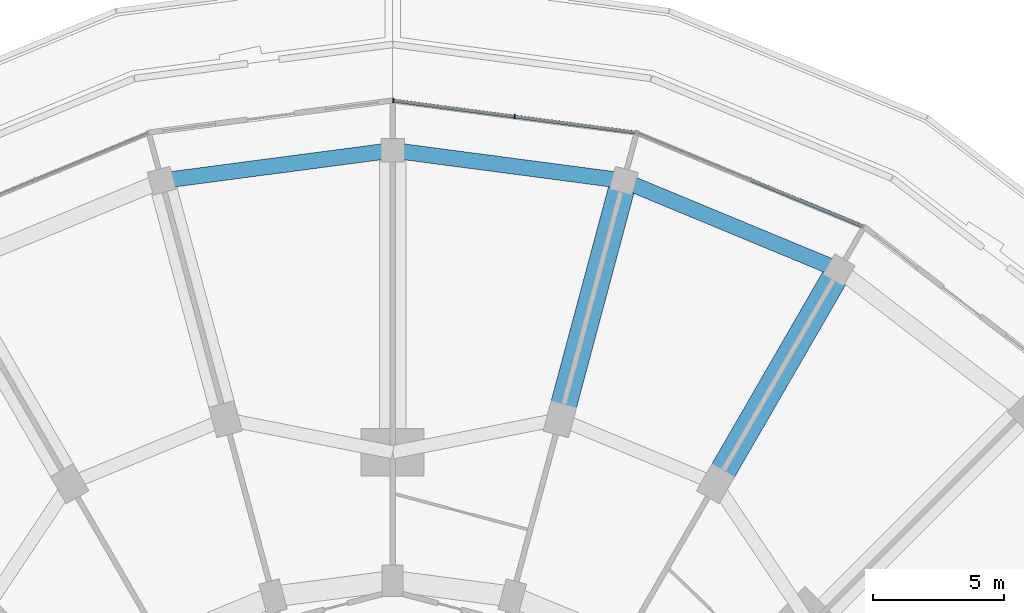
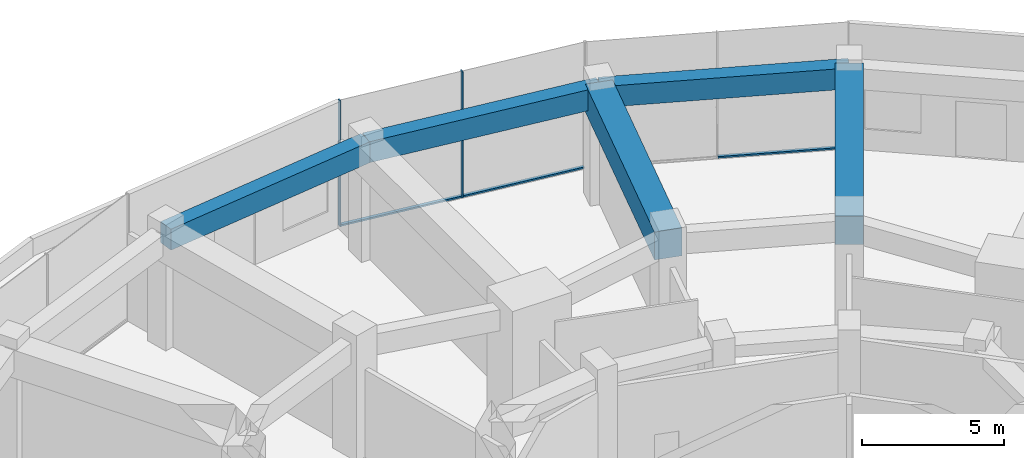
# One storey, part 13 of 26: 5 beams, 5 members, 2 elements without a shape of their own.
"""IFC4 building model written with IfcOpenShell, lengths in metres."""

from ifc_helpers import new_model, si_unit, direction, frame, origin, origin_2d, place, context, subcontext, project, spatial, rectangle, extrude, material, layer, layer_set, material_profile, profile_set, type_object, element, aggregate, save


model = new_model("IFC4")

# Units and contexts
model_context = context("Model", 3, precision=1e-05, world=origin(), true_north=direction((0.0, 1.0)))
body_context = subcontext(model_context, "Body", "Model", "MODEL_VIEW")
ifc_project = project(units=[si_unit("LENGTHUNIT", "METRE"), si_unit("AREAUNIT", "SQUARE_METRE"), si_unit("VOLUMEUNIT", "CUBIC_METRE"), si_unit("PLANEANGLEUNIT", "RADIAN"), si_unit("MASSUNIT", "GRAM", prefix="KILO")], contexts=[model_context])

# Site, building, storey
site_placement = place(None, origin())
site = spatial("IfcSite", under=ifc_project, at=site_placement, CompositionType="ELEMENT")
building_placement = place(site_placement, origin())
building = spatial("IfcBuilding", under=site, at=building_placement, Name="Torre Brocal", CompositionType="ELEMENT")
storey_placement = place(building_placement, frame((0.0, 0.0, 12.39990234375)))
storey = spatial("IfcBuildingStorey", under=building, at=storey_placement, Name="L02", CompositionType="ELEMENT", Elevation=12.39990234375)

# Curtain wall, members
ifc_material_1 = material(Name="Aluminium and glass", Category="aluminium")
ifc_layer = layer(ifc_material_1, 0.199951171875)
ifc_layer_set = layer_set([ifc_layer], Name="Aluminium and glass")
curtain_wall_type = type_object("IfcCurtainWallType", Name="CW-6 CURTAIN WALL 5400 HIGH", PredefinedType="NOTDEFINED", material=ifc_layer_set)
curtain_wall_1_placement = place(storey_placement, origin())
curtain_wall_1 = element("IfcCurtainWall", 1, at=curtain_wall_1_placement, inside=storey, type_object=curtain_wall_type, Name="CW-6 RUN 6", PredefinedType="NOTDEFINED")
ifc_material_2 = material(Name="Aluminium, dark anodised", Category="aluminium")
ifc_material_profile_1 = material_profile(ifc_material_2, rectangle(XDim=0.159912109375, YDim=0.050048828125, at=origin_2d()), Name="CW-6 MULLION 50X160")
ifc_profile_set_1 = profile_set([ifc_material_profile_1], Name="Aluminium, dark anodised")
member_type_1 = type_object("IfcMemberType", Name="CW-6 MULLION 50X160", PredefinedType="MULLION", material=ifc_profile_set_1)
member_1_placement = place(storey_placement, frame((84.645751953125, 110.28759765625, 0.0), z_axis=(0.0, 0.0, 1.0), x_axis=(-0.130526192255, -0.991444861369, 0.0)))
member_1 = element("IfcMember", 2, at=member_1_placement, type_object=member_type_1, Name="CW6-1 mullion 2", PredefinedType="MULLION", context=body_context, shape_type="SweptSolid", body=[
    extrude(rectangle(XDim=0.159912109375, YDim=0.050048828125, at=origin_2d()), origin(), (0.0, 0.0, 1.0), 5.400146484375),
])
member_2_placement = place(storey_placement, frame((80.02490234375, 110.895751953125, 0.0), z_axis=(0.0, 0.0, 1.0), x_axis=(-0.130526192255, -0.991444861369, 0.0)))
member_2 = element("IfcMember", 3, at=member_2_placement, type_object=member_type_1, Name="CW6-1 mullion 3", PredefinedType="MULLION", context=body_context, shape_type="SweptSolid", body=[
    extrude(rectangle(XDim=0.159912109375, YDim=0.050048828125, at=origin_2d()), origin(), (0.0, 0.0, 1.0), 5.400146484375),
])

# Curtain wall, member
curtain_wall_2_placement = place(storey_placement, origin())
curtain_wall_2 = element("IfcCurtainWall", 4, at=curtain_wall_2_placement, inside=storey, type_object=curtain_wall_type, Name="CW-6 RUN 5", PredefinedType="NOTDEFINED")
ifc_material_3 = material(Name="Aluminium, dark anodised", Category="aluminium")
ifc_material_profile_2 = material_profile(ifc_material_3, rectangle(XDim=0.1298828125, YDim=0.070068359375, at=origin_2d()), Name="CW-6 TRANSOM 130X70")
ifc_profile_set_2 = profile_set([ifc_material_profile_2], Name="Aluminium, dark anodised")
member_type_2 = type_object("IfcMemberType", Name="CW-6 TRANSOM 130X70", PredefinedType="USERDEFINED", material=ifc_profile_set_2)
member_3_placement = place(storey_placement, frame((97.9033203125, 106.108642578125, 0.03515625), z_axis=(-0.923883243627, 0.382674472816, 0.0), x_axis=(-0.382674472816, -0.923883243627, 0.0)))
member_3 = element("IfcMember", 5, at=member_3_placement, type_object=member_type_2, Name="CW6-1 transom 1.1", ObjectType="TRANSOM", PredefinedType="USERDEFINED", context=body_context, shape_type="SweptSolid", body=[
    extrude(rectangle(XDim=0.1298828125, YDim=0.070068359375, at=origin_2d()), origin(), (0.0, 0.0, 1.0), 4.61083984375),
])
aggregate(curtain_wall_2, [member_3])

# Member
member_4_placement = place(storey_placement, frame((89.24169921875, 109.682373046875, 0.03515625), z_axis=(-0.991445281859, 0.130522998279, 0.0), x_axis=(-0.130522998279, -0.991445281859, 0.0)))
member_4 = element("IfcMember", 6, at=member_4_placement, type_object=member_type_2, Name="CW6-1 transom 1.1", ObjectType="TRANSOM", PredefinedType="USERDEFINED", context=body_context, shape_type="SweptSolid", body=[
    extrude(rectangle(XDim=0.1298828125, YDim=0.070068359375, at=origin_2d()), origin(), (0.0, 0.0, 1.0), 4.61083984375),
])

member_5_placement = place(storey_placement, frame((84.620849609375, 110.290771484375, 0.03515625), z_axis=(-0.991445281859, 0.130522998279, 0.0), x_axis=(-0.130522998279, -0.991445281859, 0.0)))
member_5 = element("IfcMember", 7, at=member_5_placement, type_object=member_type_2, Name="CW6-1 transom 2.1", ObjectType="TRANSOM", PredefinedType="USERDEFINED", context=body_context, shape_type="SweptSolid", body=[
    extrude(rectangle(XDim=0.1298828125, YDim=0.070068359375, at=origin_2d()), origin(), (0.0, 0.0, 1.0), 4.61083984375),
])

aggregate(curtain_wall_1, [member_1, member_2, member_4, member_5])

# Beams
ifc_material_4 = material(Name="Concrete C50", Category="concrete")
ifc_material_profile_3 = material_profile(ifc_material_4, rectangle(XDim=0.60009765625, YDim=0.89990234375, at=origin_2d()), Name="RC 600X900")
ifc_profile_set_3 = profile_set([ifc_material_profile_3], Name="Concrete C50")
beam_type_1 = type_object("IfcBeamType", Name="RC BEAM 600X900 C50 TOP 4950", PredefinedType="BEAM", material=ifc_profile_set_3)
beam_1_placement = place(storey_placement, frame((97.0, 104.44482421875, 4.5), z_axis=(-0.923875692429, 0.382692703012, 0.0), x_axis=(-0.382692703012, -0.923875692429, 0.0)))
element("IfcBeam", 8, at=beam_1_placement, inside=storey, type_object=beam_type_1, Name="Beam BT-10", PredefinedType="BEAM", context=body_context, shape_type="SweptSolid", body=[
    extrude(rectangle(XDim=0.60009765625, YDim=0.89990234375, at=origin_2d()), origin(), (0.0, 0.0, 1.0), 8.8759765625),
])
for number, where, z_axis, x_axis, name in (
    (9, (88.7998046875, 107.841552734375, 4.5), (-0.991445867372, 0.130518550679, 0.0), (-0.130518550679, -0.991445867372, 0.0), "Beam BT-10"),
    (10, (80.0, 109.0, 4.5), (-0.991445867372, -0.130518550679, 0.0), (0.130518550679, -0.991445867372, 0.0), "Beam BT-10"),
):
    element("IfcBeam", number, at=place(storey_placement, frame(where, z_axis=z_axis, x_axis=x_axis)), inside=storey, type_object=beam_type_1, Name=name, PredefinedType="BEAM", context=body_context, shape_type="SweptSolid", body=[
        extrude(rectangle(XDim=0.60009765625, YDim=0.89990234375, at=origin_2d()), origin(), (0.0, 0.0, 1.0), 8.875732421875),
    ])
ifc_material_5 = material(Name="Concrete C60", Category="concrete")
ifc_material_profile_4 = material_profile(ifc_material_5, rectangle(XDim=1.0, YDim=1.199951171875, at=origin_2d()), Name="RC 1000X1200")
ifc_profile_set_4 = profile_set([ifc_material_profile_4], Name="Concrete C60")
beam_type_2 = type_object("IfcBeamType", Name="RC TRANSFER GIRDER 1000X1200 C60 TOP 4950", PredefinedType="BEAM", material=ifc_profile_set_4)
beam_2_placement = place(storey_placement, frame((86.366943359375, 98.76171875, 4.35009765625), z_axis=(0.258811813801, 0.965927763881, 0.0), x_axis=(-0.965927763881, 0.258811813801, 0.0)))
element("IfcBeam", 11, at=beam_2_placement, inside=storey, type_object=beam_type_2, Name="Beam TG-03", PredefinedType="BEAM", context=body_context, shape_type="SweptSolid", body=[
    extrude(rectangle(XDim=1.0, YDim=1.199951171875, at=origin_2d()), origin(), (0.0, 0.0, 1.0), 9.400146484375),
])
beam_3_placement = place(storey_placement, frame((92.300048828125, 96.30419921875, 4.35009765625), z_axis=(0.499996739618, 0.866027286158, 0.0), x_axis=(-0.866027286158, 0.499996739618, 0.0)))
element("IfcBeam", 12, at=beam_3_placement, inside=storey, type_object=beam_type_2, Name="Beam TG-03", PredefinedType="BEAM", context=body_context, shape_type="SweptSolid", body=[
    extrude(rectangle(XDim=1.0, YDim=1.199951171875, at=origin_2d()), origin(), (0.0, 0.0, 1.0), 9.39990234375),
])

save(model, "model.ifc")
